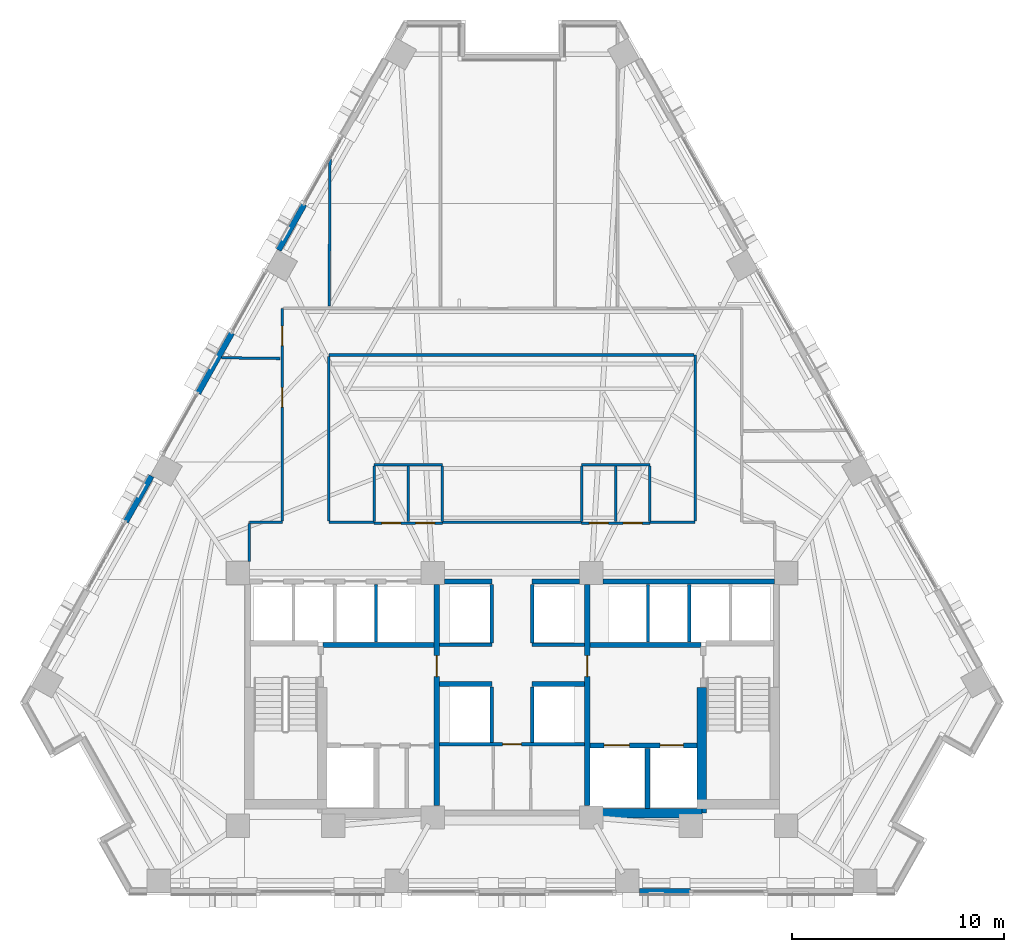
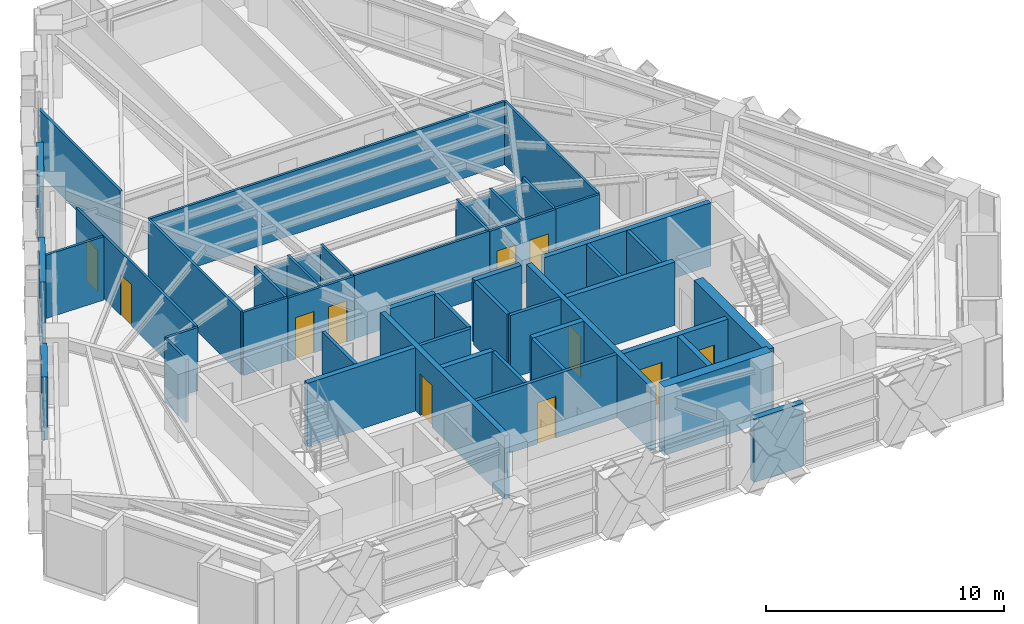
# One storey, part 8 of 14: 48 walls, 11 doors, 11 openings.
"""IFC4 building model written with IfcOpenShell, lengths in metres."""

from ifc_helpers import new_model, si_unit, direction, frame, frame_2d, origin, place, context, subcontext, project, spatial, rectangle, extrude, material, layer, layer_set, type_object, element, fill, save


model = new_model("IFC4")

# Units and contexts
model_context = context("Model", 3, precision=1e-05, world=origin(), true_north=direction((0.0, 1.0)))
body_context = subcontext(model_context, "Body", "Model", "MODEL_VIEW")
ifc_project = project(units=[si_unit("LENGTHUNIT", "METRE"), si_unit("AREAUNIT", "SQUARE_METRE"), si_unit("VOLUMEUNIT", "CUBIC_METRE"), si_unit("PLANEANGLEUNIT", "RADIAN"), si_unit("MASSUNIT", "GRAM", prefix="KILO")], contexts=[model_context])

# Site, building, storey
site_placement = place(None, origin())
site = spatial("IfcSite", under=ifc_project, at=site_placement, CompositionType="ELEMENT")
building_placement = place(site_placement, origin())
building = spatial("IfcBuilding", under=site, at=building_placement, Name="Quenlor Broadcast Tower", CompositionType="ELEMENT")
storey_placement = place(building_placement, frame((0.0, 0.0, 80.10009765625)))
storey = spatial("IfcBuildingStorey", under=building, at=storey_placement, Name="L21", CompositionType="ELEMENT", Elevation=80.10009765625)

# Walls
ifc_material_1 = material(Name="Concrete C50/60", Category="concrete")
ifc_layer_1 = layer(ifc_material_1, 0.449951171875)
ifc_layer_set_1 = layer_set([ifc_layer_1], Name="Core Concrete C50/60 Shear Wall 450")
wall_type_1 = type_object("IfcWallType", Name="Core Concrete C50/60 Shear Wall 450", PredefinedType="SHEAR", material=ifc_layer_set_1)
wall_1_placement = place(storey_placement, frame((3.75, -16.14990234375, 0.0), z_axis=(0.0, 0.0, 1.0), x_axis=(1.0, 0.0, 0.0)))
element("IfcWall", 1, at=wall_1_placement, inside=storey, type_object=wall_type_1, Name="L21 Core Shear Wall WS-E1", PredefinedType="SHEAR", context=body_context, shape_type="SweptSolid", body=[
    extrude(rectangle(XDim=5.22509765625, YDim=0.449951171875, at=frame_2d((2.612548828125, 0.0))), origin(), (0.0, 0.0, 1.0), 3.5),
])
wall_2_placement = place(storey_placement, frame((8.97509765625, -16.14990234375, 0.0), z_axis=(0.0, 0.0, 1.0), x_axis=(0.0, 1.0, 0.0)))
element("IfcWall", 2, at=wall_2_placement, inside=storey, type_object=wall_type_1, Name="L21 Core Shear Wall WI-E", PredefinedType="SHEAR", context=body_context, shape_type="SweptSolid", body=[
    extrude(rectangle(XDim=5.949951171875, YDim=0.449951171875, at=frame_2d((2.97509765625, 0.0))), origin(), (0.0, 0.0, 1.0), 3.5),
])

# Wall, openings, doors
ifc_material_2 = material(Name="Concrete C40/50", Category="concrete")
ifc_layer_2 = layer(ifc_material_2, 0.25)
ifc_layer_set_2 = layer_set([ifc_layer_2], Name="Fire Rated Concrete C40/50 Core Wall 250")
wall_type_2 = type_object("IfcWallType", Name="Fire Rated Concrete C40/50 Core Wall 250", PredefinedType="PARTITIONING", material=ifc_layer_set_2)
wall_3_placement = place(storey_placement, frame((3.679931640625, -12.949951171875, 0.0), z_axis=(0.0, 0.0, 1.0), x_axis=(1.0, 0.0, 0.0)))
wall_3 = element("IfcWall", 3, at=wall_3_placement, inside=storey, type_object=wall_type_2, Name="L21 Interior Wall CW-FFE-S", PredefinedType="PARTITIONING", context=body_context, shape_type="SweptSolid", body=[
    extrude(rectangle(XDim=5.068115234375, YDim=0.25, at=frame_2d((2.5341796875, 0.0))), origin(), (0.0, 0.0, 1.0), 3.25),
])
opening_1_placement = place(wall_3_placement, frame((3.320068359375, 0.0, 0.0)))
opening_1 = element("IfcOpeningElement", 4, at=opening_1_placement, cuts=wall_3, Name="Opening LD-FFL-2", PredefinedType="OPENING", context=body_context, shape_type="SweptSolid", body=[
    extrude(rectangle(XDim=1.10009765625, YDim=2.14990234375, at=frame_2d((0.550048828125, 1.074951171875))), frame((0.0, 0.135009765625, 0.0), z_axis=(0.0, -1.0, 0.0), x_axis=(1.0, 0.0, 0.0)), (0.0, 0.0, 1.0), 0.27001953125),
])
opening_2_placement = place(wall_3_placement, frame((0.669921875, 0.0, 0.0)))
opening_2 = element("IfcOpeningElement", 5, at=opening_2_placement, cuts=wall_3, Name="Opening LD-SVL-1", PredefinedType="OPENING", context=body_context, shape_type="SweptSolid", body=[
    extrude(rectangle(XDim=1.199951171875, YDim=2.14990234375, at=frame_2d((0.60009765625, 1.074951171875))), frame((0.0, 0.135009765625, 0.0), z_axis=(0.0, -1.0, 0.0), x_axis=(1.0, 0.0, 0.0)), (0.0, 0.0, 1.0), 0.27001953125),
])
ifc_material_3 = material(Name="Brushed Stainless Steel", Category="steel")
door_type_1 = type_object("IfcDoorType", Name="Emergency Lift Sliding Landing Door 1100x2150", OperationType="NOTDEFINED", PredefinedType="DOOR", material=ifc_material_3)
door_1_placement = place(opening_1_placement, origin())
door_1 = element("IfcDoor", 6, at=door_1_placement, inside=storey, type_object=door_type_1, Name="L21 Door LD-FFL-2", OperationType="SLIDING_TO_RIGHT", OverallHeight=2.14990234375, OverallWidth=1.10009765625, PredefinedType="DOOR", context=body_context, shape_type="SweptSolid", body=[
    extrude(rectangle(XDim=1.10009765625, YDim=2.14990234375, at=frame_2d((0.550048828125, 1.074951171875))), frame((0.0, 0.02490234375, 0.0), z_axis=(0.0, -1.0, 0.0), x_axis=(1.0, 0.0, 0.0)), (0.0, 0.0, 1.0), 0.050048828125),
])
fill(opening_1, door_1)
ifc_material_4 = material(Name="Brushed Stainless Steel", Category="steel")
door_type_2 = type_object("IfcDoorType", Name="Goods Lift Sliding Landing Door 1200x2150", OperationType="NOTDEFINED", PredefinedType="DOOR", material=ifc_material_4)
door_2_placement = place(opening_2_placement, origin())
door_2 = element("IfcDoor", 7, at=door_2_placement, inside=storey, type_object=door_type_2, Name="L21 Door LD-SVL-1", OperationType="SLIDING_TO_LEFT", OverallHeight=2.14990234375, OverallWidth=1.199951171875, PredefinedType="DOOR", context=body_context, shape_type="SweptSolid", body=[
    extrude(rectangle(XDim=1.199951171875, YDim=2.14990234375, at=frame_2d((0.60009765625, 1.074951171875))), frame((0.0, 0.02490234375, 0.0), z_axis=(0.0, -1.0, 0.0), x_axis=(1.0, 0.0, 0.0)), (0.0, 0.0, 1.0), 0.050048828125),
])
fill(opening_2, door_2)

# Walls
wall_4_placement = place(storey_placement, frame((6.39990234375, -15.919921875, 0.0), z_axis=(0.0, 0.0, 1.0), x_axis=(0.0, 1.0, 0.0)))
element("IfcWall", 8, at=wall_4_placement, inside=storey, type_object=wall_type_2, Name="L21 Interior Wall CW-SV1-E", PredefinedType="PARTITIONING", context=body_context, shape_type="SweptSolid", body=[
    extrude(rectangle(XDim=2.829833984375, YDim=0.25, at=frame_2d((1.4150390625, 0.0))), origin(), (0.0, 0.0, 1.0), 3.25),
])
for number, where, z_axis, x_axis, name in (
    (9, (-8.919921875, -8.199951171875, 0.0), (0.0, 0.0, 1.0), (1.0, 0.0, 0.0), "L21 Interior Wall CW-FFW-N"),
    (10, (3.679931640625, -8.199951171875, 0.0), (0.0, 0.0, 1.0), (1.0, 0.0, 0.0), "L21 Interior Wall CW-FFE-N"),
):
    element("IfcWall", number, at=place(storey_placement, frame(where, z_axis=z_axis, x_axis=x_axis)), inside=storey, type_object=wall_type_2, Name=name, PredefinedType="PARTITIONING", context=body_context, shape_type="SweptSolid", body=[
        extrude(rectangle(XDim=5.239990234375, YDim=0.25, at=frame_2d((2.6201171875, 0.0))), origin(), (0.0, 0.0, 1.0), 3.25),
    ])

# Wall, opening, door
wall_5_placement = place(storey_placement, frame((-3.550048828125, -15.798095703125, 0.0), z_axis=(0.0, 0.0, 1.0), x_axis=(0.0, 1.0, 0.0)))
wall_5 = element("IfcWall", 11, at=wall_5_placement, inside=storey, type_object=wall_type_2, Name="L21 Interior Wall CW-FFW-E", PredefinedType="PARTITIONING", context=body_context, shape_type="SweptSolid", body=[
    extrude(rectangle(XDim=10.446044921875, YDim=0.25, at=frame_2d((5.22314453125, 0.0))), origin(), (0.0, 0.0, 1.0), 3.25),
])
opening_3_placement = place(wall_5_placement, frame((6.097900390625, 0.0, 0.0)))
opening_3 = element("IfcOpeningElement", 12, at=opening_3_placement, cuts=wall_5, Name="Opening FD-2", PredefinedType="OPENING", context=body_context, shape_type="SweptSolid", body=[
    extrude(rectangle(XDim=1.0, YDim=2.14990234375, at=frame_2d((0.5, 1.074951171875))), frame((0.0, 0.135009765625, 0.0), z_axis=(0.0, -1.0, 0.0), x_axis=(1.0, 0.0, 0.0)), (0.0, 0.0, 1.0), 0.27001953125),
])
ifc_material_5 = material(Name="Fire Rated Glazed Steel Door", Category="steel")
door_type_3 = type_object("IfcDoorType", Name="Firefighting Lobby Smoke Door 1000x2150", OperationType="NOTDEFINED", PredefinedType="DOOR", material=ifc_material_5)
door_3_placement = place(opening_3_placement, origin())
door_3 = element("IfcDoor", 13, at=door_3_placement, inside=storey, type_object=door_type_3, Name="L21 Door DR-FFLW", OperationType="SINGLE_SWING_RIGHT", OverallHeight=2.14990234375, OverallWidth=1.0, PredefinedType="DOOR", context=body_context, shape_type="SweptSolid", body=[
    extrude(rectangle(XDim=1.0, YDim=2.14990234375, at=frame_2d((0.5, 1.074951171875))), frame((0.0, 0.02490234375, 0.0), z_axis=(0.0, -1.0, 0.0), x_axis=(1.0, 0.0, 0.0)), (0.0, 0.0, 1.0), 0.050048828125),
])
fill(opening_3, door_3)

wall_6_placement = place(storey_placement, frame((3.550048828125, -15.798095703125, 0.0), z_axis=(0.0, 0.0, 1.0), x_axis=(0.0, 1.0, 0.0)))
wall_6 = element("IfcWall", 14, at=wall_6_placement, inside=storey, type_object=wall_type_2, Name="L21 Interior Wall CW-FFE-W", PredefinedType="PARTITIONING", context=body_context, shape_type="SweptSolid", body=[
    extrude(rectangle(XDim=10.446044921875, YDim=0.25, at=frame_2d((5.22314453125, 0.0))), origin(), (0.0, 0.0, 1.0), 3.25),
])
opening_4_placement = place(wall_6_placement, frame((6.097900390625, 0.0, 0.0)))
opening_4 = element("IfcOpeningElement", 15, at=opening_4_placement, cuts=wall_6, Name="Opening FD-2", PredefinedType="OPENING", context=body_context, shape_type="SweptSolid", body=[
    extrude(rectangle(XDim=1.0, YDim=2.14990234375, at=frame_2d((0.5, 1.074951171875))), frame((0.0, 0.135009765625, 0.0), z_axis=(0.0, -1.0, 0.0), x_axis=(1.0, 0.0, 0.0)), (0.0, 0.0, 1.0), 0.27001953125),
])
door_4_placement = place(opening_4_placement, origin())
door_4 = element("IfcDoor", 16, at=door_4_placement, inside=storey, type_object=door_type_3, Name="L21 Door DR-FFLE", OperationType="SINGLE_SWING_LEFT", OverallHeight=2.14990234375, OverallWidth=1.0, PredefinedType="DOOR", context=body_context, shape_type="SweptSolid", body=[
    extrude(rectangle(XDim=1.0, YDim=2.14990234375, at=frame_2d((0.5, 1.074951171875))), frame((0.0, 0.02490234375, 0.0), z_axis=(0.0, -1.0, 0.0), x_axis=(1.0, 0.0, 0.0)), (0.0, 0.0, 1.0), 0.050048828125),
])
fill(opening_4, door_4)

# Walls
wall_7_placement = place(storey_placement, frame((4.302001953125, -5.199951171875, 0.0), z_axis=(0.0, 0.0, 1.0), x_axis=(1.0, 0.0, 0.0)))
element("IfcWall", 17, at=wall_7_placement, inside=storey, type_object=wall_type_2, Name="L21 Interior Wall CW-N-E", PredefinedType="PARTITIONING", context=body_context, shape_type="SweptSolid", body=[
    extrude(rectangle(XDim=8.095947265625, YDim=0.25, at=frame_2d((4.0478515625, 0.0))), origin(), (0.0, 0.0, 1.0), 3.25),
])
for number, where, z_axis, x_axis, name in (
    (18, (-3.197998046875, -5.199951171875, 0.0), (0.0, 0.0, 1.0), (1.0, 0.0, 0.0), "L21 Interior Wall CW-N-M1"),
    (19, (0.949951171875, -5.199951171875, 0.0), (0.0, 0.0, 1.0), (1.0, 0.0, 0.0), "L21 Interior Wall CW-N-M2"),
):
    element("IfcWall", number, at=place(storey_placement, frame(where, z_axis=z_axis, x_axis=x_axis)), inside=storey, type_object=wall_type_2, Name=name, PredefinedType="PARTITIONING", context=body_context, shape_type="SweptSolid", body=[
        extrude(rectangle(XDim=2.248046875, YDim=0.25, at=frame_2d((1.1240234375, 0.0))), origin(), (0.0, 0.0, 1.0), 3.25),
    ])
for number, where, z_axis, x_axis, name in (
    (20, (-3.419921875, -10.050048828125, 0.0), (0.0, 0.0, 1.0), (1.0, 0.0, 0.0), "L21 Interior Wall CW-MS-N1"),
    (21, (0.949951171875, -10.050048828125, 0.0), (0.0, 0.0, 1.0), (1.0, 0.0, 0.0), "L21 Interior Wall CW-MS-N2"),
):
    element("IfcWall", number, at=place(storey_placement, frame(where, z_axis=z_axis, x_axis=x_axis)), inside=storey, type_object=wall_type_2, Name=name, PredefinedType="PARTITIONING", context=body_context, shape_type="SweptSolid", body=[
        extrude(rectangle(XDim=2.469970703125, YDim=0.25, at=frame_2d((1.23486328125, 0.0))), origin(), (0.0, 0.0, 1.0), 3.25),
    ])
ifc_material_6 = material(Name="Gypsum Fireboard Partition", Category="other")
ifc_layer_3 = layer(ifc_material_6, 0.159912109375)
ifc_layer_set_3 = layer_set([ifc_layer_3], Name="Fire Rated Shaft and Corridor Partition 160")
wall_type_3 = type_object("IfcWallType", Name="Fire Rated Shaft and Corridor Partition 160", PredefinedType="PARTITIONING", material=ifc_layer_set_3)
for number, where, z_axis, x_axis, name in (
    (22, (-6.425048828125, -8.072998046875, 0.0), (0.0, 0.0, 1.0), (0.0, 1.0, 0.0), "L21 Interior Wall CW-PLL-D3"),
    (23, (6.425048828125, -8.072998046875, 0.0), (0.0, 0.0, 1.0), (0.0, 1.0, 0.0), "L21 Interior Wall CW-PLH-D1"),
    (24, (8.375, -8.072998046875, 0.0), (0.0, 0.0, 1.0), (0.0, 1.0, 0.0), "L21 Interior Wall CW-PLH-D2"),
):
    element("IfcWall", number, at=place(storey_placement, frame(where, z_axis=z_axis, x_axis=x_axis)), inside=storey, type_object=wall_type_3, Name=name, PredefinedType="PARTITIONING", context=body_context, shape_type="SweptSolid", body=[
        extrude(rectangle(XDim=2.73291015625, YDim=0.159912109375, at=frame_2d((1.366455078125, 0.0))), origin(), (0.0, 0.0, 1.0), 3.25),
    ])
for number, where, z_axis, x_axis, name in (
    (25, (-0.949951171875, -8.1201171875, 0.0), (0.0, 0.0, 1.0), (0.0, 1.0, 0.0), "L21 Interior Wall CW-CCRP-W"),
    (26, (0.949951171875, -8.1201171875, 0.0), (0.0, 0.0, 1.0), (0.0, 1.0, 0.0), "L21 Interior Wall CW-CCRP-E"),
):
    element("IfcWall", number, at=place(storey_placement, frame(where, z_axis=z_axis, x_axis=x_axis)), inside=storey, type_object=wall_type_3, Name=name, PredefinedType="PARTITIONING", context=body_context, shape_type="SweptSolid", body=[
        extrude(rectangle(XDim=2.780029296875, YDim=0.159912109375, at=frame_2d((1.39013671875, 0.0))), origin(), (0.0, 0.0, 1.0), 3.25),
    ])
for number, where, z_axis, x_axis, name in (
    (27, (-3.419921875, -8.199951171875, 0.0), (0.0, 0.0, 1.0), (1.0, 0.0, 0.0), "L21 Interior Wall CW-M-BACK1"),
    (28, (0.949951171875, -8.199951171875, 0.0), (0.0, 0.0, 1.0), (1.0, 0.0, 0.0), "L21 Interior Wall CW-M-BACK2"),
):
    element("IfcWall", number, at=place(storey_placement, frame(where, z_axis=z_axis, x_axis=x_axis)), inside=storey, type_object=wall_type_3, Name=name, PredefinedType="PARTITIONING", context=body_context, shape_type="SweptSolid", body=[
        extrude(rectangle(XDim=2.469970703125, YDim=0.159912109375, at=frame_2d((1.23486328125, 0.0))), origin(), (0.0, 0.0, 1.0), 3.25),
    ])

# Wall, opening, door
wall_8_placement = place(storey_placement, frame((-3.419921875, -12.89990234375, 0.0), z_axis=(0.0, 0.0, 1.0), x_axis=(1.0, 0.0, 0.0)))
wall_8 = element("IfcWall", 29, at=wall_8_placement, inside=storey, type_object=wall_type_3, Name="L21 Interior Wall CW-MS-B", PredefinedType="PARTITIONING", context=body_context, shape_type="SweptSolid", body=[
    extrude(rectangle(XDim=6.83984375, YDim=0.159912109375, at=frame_2d((3.419921875, 0.0))), origin(), (0.0, 0.0, 1.0), 3.25),
])
opening_5_placement = place(wall_8_placement, frame((2.97998046875, 0.0, 0.0)))
opening_5 = element("IfcOpeningElement", 30, at=opening_5_placement, cuts=wall_8, Name="Opening ID-4", PredefinedType="OPENING", context=body_context, shape_type="SweptSolid", body=[
    extrude(rectangle(XDim=0.8798828125, YDim=2.1201171875, at=frame_2d((0.43994140625, 1.06005859375))), frame((0.0, 0.08984375, 0.0), z_axis=(0.0, -1.0, 0.0), x_axis=(1.0, 0.0, 0.0)), (0.0, 0.0, 1.0), 0.179931640625),
])
ifc_material_7 = material(Name="Solid Core Timber Oak", Category="wood")
door_type_4 = type_object("IfcDoorType", Name="Service Closet Timber Door 880x2120", OperationType="NOTDEFINED", PredefinedType="DOOR", material=ifc_material_7)
door_5_placement = place(opening_5_placement, origin())
door_5 = element("IfcDoor", 31, at=door_5_placement, inside=storey, type_object=door_type_4, Name="L21 Door DR-CSV0", OperationType="SINGLE_SWING_LEFT", OverallHeight=2.1201171875, OverallWidth=0.8798828125, PredefinedType="DOOR", context=body_context, shape_type="SweptSolid", body=[
    extrude(rectangle(XDim=0.8798828125, YDim=2.1201171875, at=frame_2d((0.43994140625, 1.06005859375))), frame((0.0, 0.02490234375, 0.0), z_axis=(0.0, -1.0, 0.0), x_axis=(1.0, 0.0, 0.0)), (0.0, 0.0, 1.0), 0.050048828125),
])
fill(opening_5, door_5)

# Walls
for number, where, z_axis, x_axis, name in (
    (32, (-0.949951171875, -12.818115234375, 0.0), (0.0, 0.0, 1.0), (0.0, 1.0, 0.0), "L21 Interior Wall CW-MS-W"),
    (33, (0.949951171875, -12.818115234375, 0.0), (0.0, 0.0, 1.0), (0.0, 1.0, 0.0), "L21 Interior Wall CW-MS-E"),
):
    element("IfcWall", number, at=place(storey_placement, frame(where, z_axis=z_axis, x_axis=x_axis)), inside=storey, type_object=wall_type_3, Name=name, PredefinedType="PARTITIONING", context=body_context, shape_type="SweptSolid", body=[
        extrude(rectangle(XDim=2.63818359375, YDim=0.159912109375, at=frame_2d((1.319091796875, 0.0))), origin(), (0.0, 0.0, 1.0), 3.25),
    ])

# Wall, openings, doors
ifc_material_8 = material(Name="Gypsum Plasterboard Partition", Category="other")
ifc_layer_4 = layer(ifc_material_8, 0.1201171875)
ifc_layer_set_4 = layer_set([ifc_layer_4], Name="Standard Office Partition 120")
wall_type_4 = type_object("IfcWallType", Name="Standard Office Partition 120", PredefinedType="PARTITIONING", material=ifc_layer_set_4)
wall_9_placement = place(storey_placement, frame((-6.510009765625, -2.43994140625, 0.0), z_axis=(0.0, 0.0, 1.0), x_axis=(1.0, 0.0, 0.0)))
wall_9 = element("IfcWall", 34, at=wall_9_placement, inside=storey, type_object=wall_type_4, Name="L21 Interior Wall PW-WCW-S", PredefinedType="PARTITIONING", context=body_context, shape_type="SweptSolid", body=[
    extrude(rectangle(XDim=3.219970703125, YDim=0.1201171875, at=frame_2d((1.60986328125, 0.0))), origin(), (0.0, 0.0, 1.0), 3.25),
])
opening_6_placement = place(wall_9_placement, frame((0.360107421875, 0.0, 0.0)))
opening_6 = element("IfcOpeningElement", 35, at=opening_6_placement, cuts=wall_9, Name="Opening ID-3", PredefinedType="OPENING", context=body_context, shape_type="SweptSolid", body=[
    extrude(rectangle(XDim=0.89990234375, YDim=2.1201171875, at=frame_2d((0.449951171875, 1.06005859375))), frame((0.0, 0.070068359375, 0.0), z_axis=(0.0, -1.0, 0.0), x_axis=(1.0, 0.0, 0.0)), (0.0, 0.0, 1.0), 0.14013671875),
])
opening_7_placement = place(wall_9_placement, frame((1.9599609375, 0.0, 0.0)))
opening_7 = element("IfcOpeningElement", 36, at=opening_7_placement, cuts=wall_9, Name="Opening ID-3", PredefinedType="OPENING", context=body_context, shape_type="SweptSolid", body=[
    extrude(rectangle(XDim=0.89990234375, YDim=2.1201171875, at=frame_2d((0.449951171875, 1.06005859375))), frame((0.0, 0.070068359375, 0.0), z_axis=(0.0, -1.0, 0.0), x_axis=(1.0, 0.0, 0.0)), (0.0, 0.0, 1.0), 0.14013671875),
])
ifc_material_9 = material(Name="Moisture Resistant Timber Oak", Category="wood")
door_type_5 = type_object("IfcDoorType", Name="Washroom Privacy Door 900x2120", OperationType="NOTDEFINED", PredefinedType="DOOR", material=ifc_material_9)
door_6_placement = place(opening_6_placement, origin())
door_6 = element("IfcDoor", 37, at=door_6_placement, inside=storey, type_object=door_type_5, Name="L21 Door DR-AWC", OperationType="SINGLE_SWING_LEFT", OverallHeight=2.1201171875, OverallWidth=0.89990234375, PredefinedType="DOOR", context=body_context, shape_type="SweptSolid", body=[
    extrude(rectangle(XDim=0.89990234375, YDim=2.1201171875, at=frame_2d((0.449951171875, 1.06005859375))), frame((0.0, 0.02490234375, 0.0), z_axis=(0.0, -1.0, 0.0), x_axis=(1.0, 0.0, 0.0)), (0.0, 0.0, 1.0), 0.050048828125),
])
fill(opening_6, door_6)
door_7_placement = place(opening_7_placement, origin())
door_7 = element("IfcDoor", 38, at=door_7_placement, inside=storey, type_object=door_type_5, Name="L21 Door DR-SHW", OperationType="SINGLE_SWING_RIGHT", OverallHeight=2.1201171875, OverallWidth=0.89990234375, PredefinedType="DOOR", context=body_context, shape_type="SweptSolid", body=[
    extrude(rectangle(XDim=0.89990234375, YDim=2.1201171875, at=frame_2d((0.449951171875, 1.06005859375))), frame((0.0, 0.02490234375, 0.0), z_axis=(0.0, -1.0, 0.0), x_axis=(1.0, 0.0, 0.0)), (0.0, 0.0, 1.0), 0.050048828125),
])
fill(opening_7, door_7)

# Walls
wall_10_placement = place(storey_placement, frame((-6.510009765625, 0.31005859375, 0.0), z_axis=(0.0, 0.0, 1.0), x_axis=(1.0, 0.0, 0.0)))
element("IfcWall", 39, at=wall_10_placement, inside=storey, type_object=wall_type_4, Name="L21 Interior Wall PW-WCW-N", PredefinedType="PARTITIONING", context=body_context, shape_type="SweptSolid", body=[
    extrude(rectangle(XDim=3.219970703125, YDim=0.1201171875, at=frame_2d((1.60986328125, 0.0))), origin(), (0.0, 0.0, 1.0), 2.891357421875),
])
for number, where, z_axis, x_axis, name in (
    (40, (-6.510009765625, -2.3779296875, 0.0), (0.0, 0.0, 1.0), (0.0, 1.0, 0.0), "L21 Interior Wall PW-WCW-W"),
    (41, (-4.89990234375, -2.3779296875, 0.0), (0.0, 0.0, 1.0), (0.0, 1.0, 0.0), "L21 Interior Wall PW-WCW-M"),
    (42, (-3.2900390625, -2.3779296875, 0.0), (0.0, 0.0, 1.0), (0.0, 1.0, 0.0), "L21 Interior Wall PW-WCW-E"),
):
    element("IfcWall", number, at=place(storey_placement, frame(where, z_axis=z_axis, x_axis=x_axis)), inside=storey, type_object=wall_type_4, Name=name, PredefinedType="PARTITIONING", context=body_context, shape_type="SweptSolid", body=[
        extrude(rectangle(XDim=2.6259765625, YDim=0.1201171875, at=frame_2d((1.31298828125, 0.0))), origin(), (0.0, 0.0, 1.0), 3.25),
    ])

# Wall, openings, doors
wall_11_placement = place(storey_placement, frame((3.2900390625, -2.43994140625, 0.0), z_axis=(0.0, 0.0, 1.0), x_axis=(1.0, 0.0, 0.0)))
wall_11 = element("IfcWall", 43, at=wall_11_placement, inside=storey, type_object=wall_type_4, Name="L21 Interior Wall PW-WCE-S", PredefinedType="PARTITIONING", context=body_context, shape_type="SweptSolid", body=[
    extrude(rectangle(XDim=3.219970703125, YDim=0.1201171875, at=frame_2d((1.60986328125, 0.0))), origin(), (0.0, 0.0, 1.0), 3.25),
])
opening_8_placement = place(wall_11_placement, frame((0.360107421875, 0.0, 0.0)))
opening_8 = element("IfcOpeningElement", 44, at=opening_8_placement, cuts=wall_11, Name="Opening ID-3", PredefinedType="OPENING", context=body_context, shape_type="SweptSolid", body=[
    extrude(rectangle(XDim=0.89990234375, YDim=2.1201171875, at=frame_2d((0.449951171875, 1.06005859375))), frame((0.0, 0.070068359375, 0.0), z_axis=(0.0, -1.0, 0.0), x_axis=(1.0, 0.0, 0.0)), (0.0, 0.0, 1.0), 0.14013671875),
])
opening_9_placement = place(wall_11_placement, frame((1.9599609375, 0.0, 0.0)))
opening_9 = element("IfcOpeningElement", 45, at=opening_9_placement, cuts=wall_11, Name="Opening ID-3", PredefinedType="OPENING", context=body_context, shape_type="SweptSolid", body=[
    extrude(rectangle(XDim=0.89990234375, YDim=2.1201171875, at=frame_2d((0.449951171875, 1.06005859375))), frame((0.0, 0.070068359375, 0.0), z_axis=(0.0, -1.0, 0.0), x_axis=(1.0, 0.0, 0.0)), (0.0, 0.0, 1.0), 0.14013671875),
])
door_8_placement = place(opening_8_placement, origin())
door_8 = element("IfcDoor", 46, at=door_8_placement, inside=storey, type_object=door_type_5, Name="L21 Door DR-MWC", OperationType="SINGLE_SWING_LEFT", OverallHeight=2.1201171875, OverallWidth=0.89990234375, PredefinedType="DOOR", context=body_context, shape_type="SweptSolid", body=[
    extrude(rectangle(XDim=0.89990234375, YDim=2.1201171875, at=frame_2d((0.449951171875, 1.06005859375))), frame((0.0, 0.02490234375, 0.0), z_axis=(0.0, -1.0, 0.0), x_axis=(1.0, 0.0, 0.0)), (0.0, 0.0, 1.0), 0.050048828125),
])
fill(opening_8, door_8)
door_9_placement = place(opening_9_placement, origin())
door_9 = element("IfcDoor", 47, at=door_9_placement, inside=storey, type_object=door_type_5, Name="L21 Door DR-FWC", OperationType="SINGLE_SWING_RIGHT", OverallHeight=2.1201171875, OverallWidth=0.89990234375, PredefinedType="DOOR", context=body_context, shape_type="SweptSolid", body=[
    extrude(rectangle(XDim=0.89990234375, YDim=2.1201171875, at=frame_2d((0.449951171875, 1.06005859375))), frame((0.0, 0.02490234375, 0.0), z_axis=(0.0, -1.0, 0.0), x_axis=(1.0, 0.0, 0.0)), (0.0, 0.0, 1.0), 0.050048828125),
])
fill(opening_9, door_9)

# Walls
wall_12_placement = place(storey_placement, frame((3.2900390625, 0.31005859375, 0.0), z_axis=(0.0, 0.0, 1.0), x_axis=(1.0, 0.0, 0.0)))
element("IfcWall", 48, at=wall_12_placement, inside=storey, type_object=wall_type_4, Name="L21 Interior Wall PW-WCE-N", PredefinedType="PARTITIONING", context=body_context, shape_type="SweptSolid", body=[
    extrude(rectangle(XDim=3.219970703125, YDim=0.1201171875, at=frame_2d((1.60986328125, 0.0))), origin(), (0.0, 0.0, 1.0), 2.891357421875),
])
for number, where, z_axis, x_axis, name in (
    (49, (3.2900390625, -2.3779296875, 0.0), (0.0, 0.0, 1.0), (0.0, 1.0, 0.0), "L21 Interior Wall PW-WCE-W"),
    (50, (4.89990234375, -2.3779296875, 0.0), (0.0, 0.0, 1.0), (0.0, 1.0, 0.0), "L21 Interior Wall PW-WCE-M"),
    (51, (6.510009765625, -2.3779296875, 0.0), (0.0, 0.0, 1.0), (0.0, 1.0, 0.0), "L21 Interior Wall PW-WCE-E"),
):
    element("IfcWall", number, at=place(storey_placement, frame(where, z_axis=z_axis, x_axis=x_axis)), inside=storey, type_object=wall_type_4, Name=name, PredefinedType="PARTITIONING", context=body_context, shape_type="SweptSolid", body=[
        extrude(rectangle(XDim=2.6259765625, YDim=0.1201171875, at=frame_2d((1.31298828125, 0.0))), origin(), (0.0, 0.0, 1.0), 3.25),
    ])
wall_13_placement = place(storey_placement, frame((-12.409912109375, -2.39990234375, 0.0), z_axis=(0.0, 0.0, 1.0), x_axis=(1.0, 0.0, 0.0)))
element("IfcWall", 52, at=wall_13_placement, inside=storey, type_object=wall_type_4, Name="L21 Interior Wall PW-CR-01", PredefinedType="PARTITIONING", context=body_context, shape_type="SweptSolid", body=[
    extrude(rectangle(XDim=1.559814453125, YDim=0.1201171875, at=frame_2d((0.77978515625, 0.0))), origin(), (0.0, 0.0, 1.0), 3.25),
])

# Wall, openings, doors
wall_14_placement = place(storey_placement, frame((-10.85009765625, -2.337890625, 0.0), z_axis=(0.0, 0.0, 1.0), x_axis=(0.0, 1.0, 0.0)))
wall_14 = element("IfcWall", 53, at=wall_14_placement, inside=storey, type_object=wall_type_4, Name="L21 Interior Wall PW-CR-02", PredefinedType="PARTITIONING", context=body_context, shape_type="SweptSolid", body=[
    extrude(rectangle(XDim=10.037841796875, YDim=0.1201171875, at=frame_2d((5.01904296875, 0.0))), origin(), (0.0, 0.0, 1.0), 3.25),
])
opening_10_placement = place(wall_14_placement, frame((8.283935546875, 0.0, 0.0)))
opening_10 = element("IfcOpeningElement", 54, at=opening_10_placement, cuts=wall_14, Name="Opening ID-1", PredefinedType="OPENING", context=body_context, shape_type="SweptSolid", body=[
    extrude(rectangle(XDim=0.919921875, YDim=2.1201171875, at=frame_2d((0.4599609375, 1.06005859375))), frame((0.0, 0.070068359375, 0.0), z_axis=(0.0, -1.0, 0.0), x_axis=(1.0, 0.0, 0.0)), (0.0, 0.0, 1.0), 0.14013671875),
])
opening_11_placement = place(wall_14_placement, frame((5.3779296875, 0.0, 0.0)))
opening_11 = element("IfcOpeningElement", 55, at=opening_11_placement, cuts=wall_14, Name="Opening ID-1", PredefinedType="OPENING", context=body_context, shape_type="SweptSolid", body=[
    extrude(rectangle(XDim=0.919921875, YDim=2.1201171875, at=frame_2d((0.4599609375, 1.06005859375))), frame((0.0, 0.070068359375, 0.0), z_axis=(0.0, -1.0, 0.0), x_axis=(1.0, 0.0, 0.0)), (0.0, 0.0, 1.0), 0.14013671875),
])
ifc_material_10 = material(Name="Solid Core Timber Oak", Category="wood")
door_type_6 = type_object("IfcDoorType", Name="Single Leaf Timber Office Door 920x2120", OperationType="NOTDEFINED", PredefinedType="DOOR", material=ifc_material_10)
door_10_placement = place(opening_10_placement, origin())
door_10 = element("IfcDoor", 56, at=door_10_placement, inside=storey, type_object=door_type_6, Name="L21 Door DR-RM05", OperationType="SINGLE_SWING_RIGHT", OverallHeight=2.1201171875, OverallWidth=0.919921875, PredefinedType="DOOR", context=body_context, shape_type="SweptSolid", body=[
    extrude(rectangle(XDim=0.919921875, YDim=2.1201171875, at=frame_2d((0.4599609375, 1.06005859375))), frame((0.0, 0.02490234375, 0.0), z_axis=(0.0, -1.0, 0.0), x_axis=(1.0, 0.0, 0.0)), (0.0, 0.0, 1.0), 0.050048828125),
])
fill(opening_10, door_10)
door_11_placement = place(opening_11_placement, origin())
door_11 = element("IfcDoor", 57, at=door_11_placement, inside=storey, type_object=door_type_6, Name="L21 Door DR-RM06", OperationType="SINGLE_SWING_LEFT", OverallHeight=2.1201171875, OverallWidth=0.919921875, PredefinedType="DOOR", context=body_context, shape_type="SweptSolid", body=[
    extrude(rectangle(XDim=0.919921875, YDim=2.1201171875, at=frame_2d((0.4599609375, 1.06005859375))), frame((0.0, 0.02490234375, 0.0), z_axis=(0.0, -1.0, 0.0), x_axis=(1.0, 0.0, 0.0)), (0.0, 0.0, 1.0), 0.050048828125),
])
fill(opening_11, door_11)

# Walls
wall_15_placement = place(storey_placement, frame((-12.409912109375, -4.248046875, 0.0), z_axis=(0.0, 0.0, 1.0), x_axis=(0.0, 1.0, 0.0)))
element("IfcWall", 58, at=wall_15_placement, inside=storey, type_object=wall_type_4, Name="L21 Interior Wall PW-CR-07", PredefinedType="PARTITIONING", context=body_context, shape_type="SweptSolid", body=[
    extrude(rectangle(XDim=1.7861328125, YDim=0.1201171875, at=frame_2d((0.89306640625, 0.0))), origin(), (0.0, 0.0, 1.0), 3.25),
])
wall_16_placement = place(storey_placement, frame((-8.64990234375, -2.39990234375, 0.0), z_axis=(0.0, 0.0, 1.0), x_axis=(1.0, 0.0, 0.0)))
element("IfcWall", 59, at=wall_16_placement, inside=storey, type_object=wall_type_4, Name="L21 Interior Wall PW-CR-08", PredefinedType="PARTITIONING", context=body_context, shape_type="SweptSolid", body=[
    extrude(rectangle(XDim=2.137939453125, YDim=0.1201171875, at=frame_2d((1.06884765625, 0.0))), origin(), (0.0, 0.0, 1.0), 3.25),
])
wall_17_placement = place(storey_placement, frame((-3.2880859375, -2.39990234375, 0.0), z_axis=(0.0, 0.0, 1.0), x_axis=(1.0, 0.0, 0.0)))
element("IfcWall", 60, at=wall_17_placement, inside=storey, type_object=wall_type_4, Name="L21 Interior Wall PW-CR-08S2", PredefinedType="PARTITIONING", context=body_context, shape_type="SweptSolid", body=[
    extrude(rectangle(XDim=6.576171875, YDim=0.1201171875, at=frame_2d((3.2880859375, 0.0))), origin(), (0.0, 0.0, 1.0), 3.25),
])
wall_18_placement = place(storey_placement, frame((6.511962890625, -2.39990234375, 0.0), z_axis=(0.0, 0.0, 1.0), x_axis=(1.0, 0.0, 0.0)))
element("IfcWall", 61, at=wall_18_placement, inside=storey, type_object=wall_type_4, Name="L21 Interior Wall PW-CR-08S3", PredefinedType="PARTITIONING", context=body_context, shape_type="SweptSolid", body=[
    extrude(rectangle(XDim=2.137939453125, YDim=0.1201171875, at=frame_2d((1.06884765625, 0.0))), origin(), (0.0, 0.0, 1.0), 3.25),
])
wall_19_placement = place(storey_placement, frame((8.64990234375, -2.337890625, 0.0), z_axis=(0.0, 0.0, 1.0), x_axis=(0.0, 1.0, 0.0)))
element("IfcWall", 62, at=wall_19_placement, inside=storey, type_object=wall_type_4, Name="L21 Interior Wall PW-CR-09", PredefinedType="PARTITIONING", context=body_context, shape_type="SweptSolid", body=[
    extrude(rectangle(XDim=7.837890625, YDim=0.1201171875, at=frame_2d((3.9189453125, 0.0))), origin(), (0.0, 0.0, 1.0), 3.25),
])
wall_20_placement = place(storey_placement, frame((8.587890625, 5.5, 0.0), z_axis=(0.0, 0.0, 1.0), x_axis=(-1.0, 0.0, 0.0)))
element("IfcWall", 63, at=wall_20_placement, inside=storey, type_object=wall_type_4, Name="L21 Interior Wall PW-CR-10", PredefinedType="PARTITIONING", context=body_context, shape_type="SweptSolid", body=[
    extrude(rectangle(XDim=17.23779296875, YDim=0.1201171875, at=frame_2d((8.618896484375, 0.0))), origin(), (0.0, 0.0, 1.0), 3.25),
])
wall_21_placement = place(storey_placement, frame((-8.64990234375, 5.43798828125, 0.0), z_axis=(0.0, 0.0, 1.0), x_axis=(0.0, -1.0, 0.0)))
element("IfcWall", 64, at=wall_21_placement, inside=storey, type_object=wall_type_4, Name="L21 Interior Wall PW-CR-11", PredefinedType="PARTITIONING", context=body_context, shape_type="SweptSolid", body=[
    extrude(rectangle(XDim=7.77587890625, YDim=0.1201171875, at=frame_2d((3.887939453125, 0.0))), origin(), (0.0, 0.0, 1.0), 3.25),
])
wall_22_placement = place(storey_placement, frame((-8.63916015625, 7.81005859375, 0.0), z_axis=(0.0, 0.0, 1.0), x_axis=(0.005790798915, 0.999983233183, 0.0)))
element("IfcWall", 65, at=wall_22_placement, inside=storey, type_object=wall_type_4, Name="L21 Interior Wall PW-DV-04", PredefinedType="PARTITIONING", context=body_context, shape_type="SweptSolid", body=[
    extrude(rectangle(XDim=6.956298828125, YDim=0.1201171875, at=frame_2d((3.47802734375, 0.0))), origin(), (0.0, 0.0, 1.0), 3.25),
])
wall_23_placement = place(storey_placement, frame((-10.9599609375, 5.332275390625, 0.0), z_axis=(0.0, 0.0, 1.0), x_axis=(-0.999910480291, 0.013380261731, 0.0)))
element("IfcWall", 66, at=wall_23_placement, inside=storey, type_object=wall_type_4, Name="L21 Interior Wall PW-DV-06", PredefinedType="PARTITIONING", context=body_context, shape_type="SweptSolid", body=[
    extrude(rectangle(XDim=2.7734375, YDim=0.1201171875, at=frame_2d((1.38671875, 0.0))), origin(), (0.0, 0.0, 1.0), 3.25),
])
ifc_material_11 = material(Name="Precast concrete C40/50", Category="concrete")
ifc_layer_5 = layer(ifc_material_11, 0.280029296875)
ifc_layer_set_5 = layer_set([ifc_layer_5], Name="Terracotta Precast Concrete C40/50 Facade Wall 280")
wall_type_5 = type_object("IfcWallType", Name="Terracotta Precast Concrete C40/50 Facade Wall 280", PredefinedType="STANDARD", material=ifc_layer_set_5)
wall_24_placement = place(storey_placement, frame((8.43359375, -19.840087890625, 0.0), z_axis=(0.0, 0.0, 1.0), x_axis=(-1.0, 0.0, 0.0)))
element("IfcWall", 67, at=wall_24_placement, inside=storey, type_object=wall_type_5, Name="L21 Exterior Wall L21-SA-SP2", PredefinedType="STANDARD", context=body_context, shape_type="SweptSolid", body=[
    extrude(rectangle(XDim=2.415283203125, YDim=0.280029296875, at=frame_2d((1.20751953125, 0.0))), origin(), (0.0, 0.0, 1.0), 3.25),
])
for number, where, z_axis, x_axis, name in (
    (68, (-18.251708984375, -2.374267578125, 0.0), (0.0, 0.0, 1.0), (0.490186269625, 0.871617703509, 0.0), "L21 Exterior Wall L21-NWA-SP2"),
    (69, (-11.031982421875, 10.461181640625, 0.0), (0.0, 0.0, 1.0), (0.490303410255, 0.871551814807, 0.0), "L21 Exterior Wall L21-NWC-SP1"),
):
    element("IfcWall", number, at=place(storey_placement, frame(where, z_axis=z_axis, x_axis=x_axis)), inside=storey, type_object=wall_type_5, Name=name, PredefinedType="STANDARD", context=body_context, shape_type="SweptSolid", body=[
        extrude(rectangle(XDim=2.473876953125, YDim=0.280029296875, at=frame_2d((1.23681640625, 0.0))), origin(), (0.0, 0.0, 1.0), 3.25),
    ])
wall_25_placement = place(storey_placement, frame((-14.8388671875, 3.693603515625, 0.0), z_axis=(0.0, 0.0, 1.0), x_axis=(0.490310760781, 0.871547679626, 0.0)))
element("IfcWall", 70, at=wall_25_placement, inside=storey, type_object=wall_type_5, Name="L21 Exterior Wall L21-NW-SP1", PredefinedType="STANDARD", context=body_context, shape_type="SweptSolid", body=[
    extrude(rectangle(XDim=3.27685546875, YDim=0.280029296875, at=frame_2d((1.638427734375, 0.0))), origin(), (0.0, 0.0, 1.0), 3.25),
])

save(model, "model.ifc")
